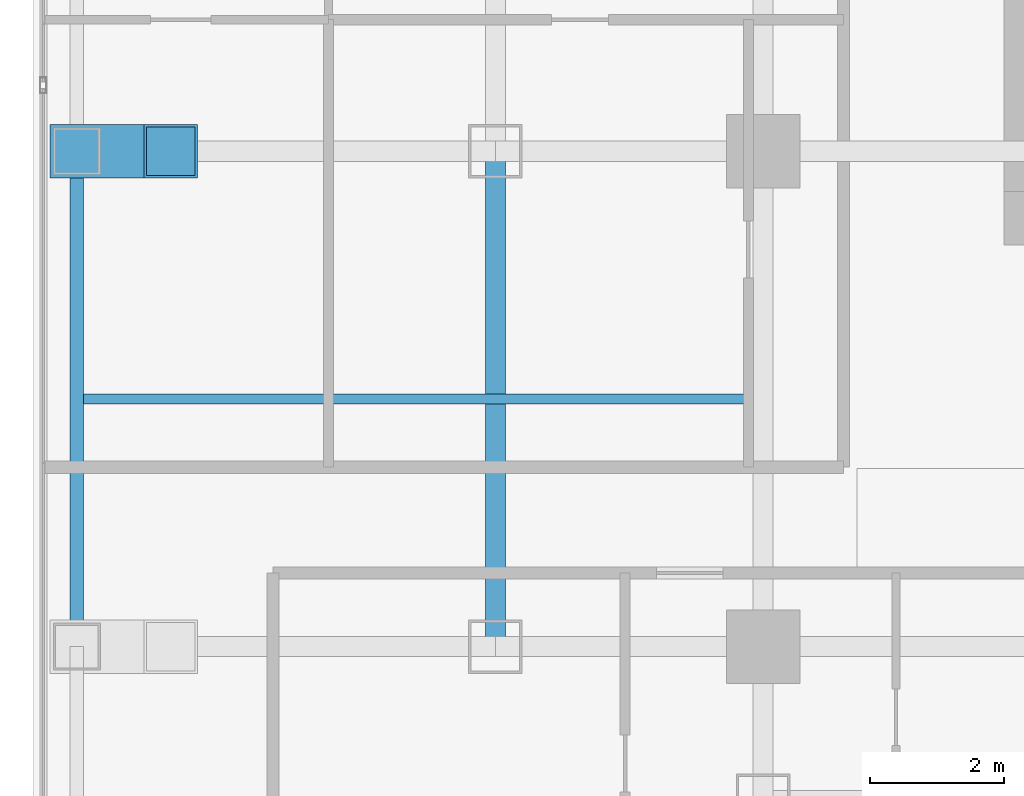
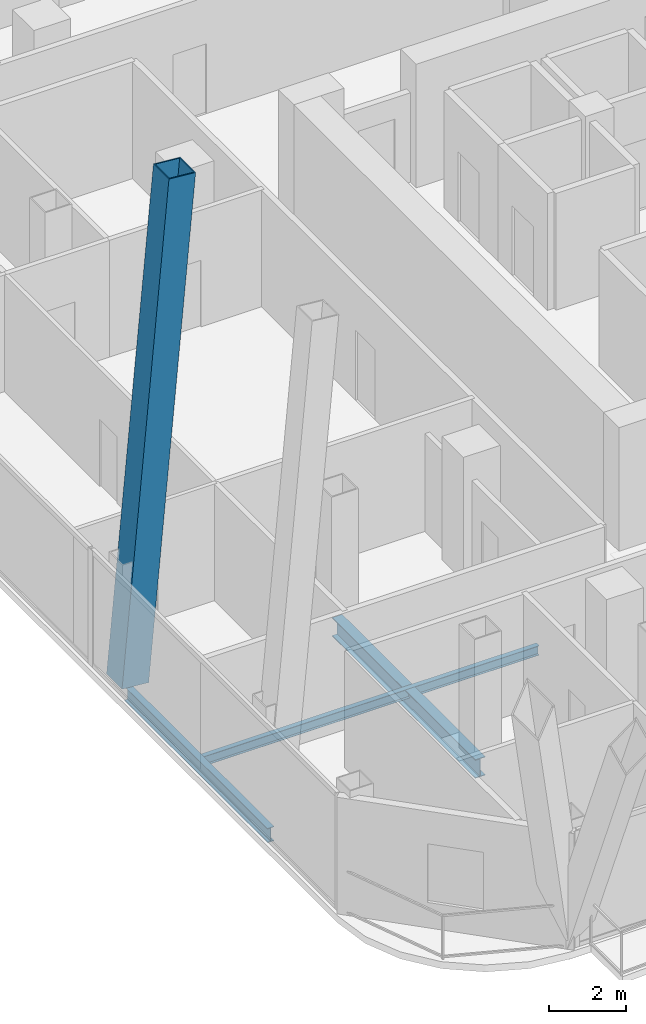
# One storey, part 7 of 34: 3 beams, 1 member.
"""IFC4 building model written with IfcOpenShell, lengths in metres."""

from ifc_helpers import new_model, si_unit, direction, frame, origin, origin_2d, place, context, subcontext, project, spatial, hollow_rectangle, i_section, extrude, material, material_profile, profile_set, type_object, element, save


model = new_model("IFC4")

# Units and contexts
model_context = context("Model", 3, precision=1e-05, world=origin(), true_north=direction((0.0, 1.0)))
body_context = subcontext(model_context, "Body", "Model", "MODEL_VIEW")
ifc_project = project(units=[si_unit("LENGTHUNIT", "METRE"), si_unit("AREAUNIT", "SQUARE_METRE"), si_unit("VOLUMEUNIT", "CUBIC_METRE"), si_unit("PLANEANGLEUNIT", "RADIAN"), si_unit("MASSUNIT", "GRAM", prefix="KILO")], contexts=[model_context])

# Site, building, storey
site_placement = place(None, origin())
site = spatial("IfcSite", under=ifc_project, at=site_placement, CompositionType="ELEMENT")
building_placement = place(site_placement, origin())
building = spatial("IfcBuilding", under=site, at=building_placement, Name="Khorvyn Point Tower", CompositionType="ELEMENT")
storey_placement = place(building_placement, frame((0.0, 0.0, 175.800048828125)))
storey = spatial("IfcBuildingStorey", under=building, at=storey_placement, Name="L43", CompositionType="ELEMENT", Elevation=175.800048828125)

# Beams
ifc_material_1 = material(Name="Steel S355", Category="steel")
ifc_material_profile_1 = material_profile(ifc_material_1, i_section(OverallWidth=0.300048828125, OverallDepth=0.587890625, WebThickness=0.011962890625, FlangeThickness=0.02001953125, at=origin_2d()))
ifc_profile_set_1 = profile_set([ifc_material_profile_1], Name="Steel S355 H588x300x12x20")
beam_type_1 = type_object("IfcBeamType", Name="Steel S355 Beam H588x300x12x20", PredefinedType="BEAM", material=ifc_profile_set_1)
beam_1_placement = place(storey_placement, frame((-18.800048828125, -14.800048828125, -0.51416015625), z_axis=(0.0, 1.0, 0.0), x_axis=(-1.0, 0.0, 0.0)))
element("IfcBeam", 1, at=beam_1_placement, inside=storey, type_object=beam_type_1, Name="Beam", PredefinedType="BEAM", context=body_context, shape_type="SweptSolid", body=[
    extrude(i_section(OverallWidth=0.300048828125, OverallDepth=0.587890625, WebThickness=0.011962890625, FlangeThickness=0.02001953125, at=origin_2d()), origin(), (0.0, 0.0, 1.0), 7.400146484375),
])
ifc_material_profile_2 = material_profile(ifc_material_1, i_section(OverallWidth=0.14990234375, OverallDepth=0.300048828125, WebThickness=0.006591796875, FlangeThickness=0.009033203125, at=origin_2d()))
ifc_profile_set_2 = profile_set([ifc_material_profile_2], Name="Steel S355 H300x150x6.5x9")
beam_type_2 = type_object("IfcBeamType", Name="Steel S355 Joist H300x150x6.5x9", PredefinedType="JOIST", material=ifc_profile_set_2)
beam_2_placement = place(storey_placement, frame((-24.949951171875, -11.10009765625, -0.3701171875), z_axis=(1.0, 0.0, 0.0), x_axis=(0.0, 1.0, 0.0)))
element("IfcBeam", 2, at=beam_2_placement, inside=storey, type_object=beam_type_2, Name="Beam", PredefinedType="JOIST", context=body_context, shape_type="SweptSolid", body=[
    extrude(i_section(OverallWidth=0.14990234375, OverallDepth=0.300048828125, WebThickness=0.006591796875, FlangeThickness=0.009033203125, at=origin_2d()), origin(), (0.0, 0.0, 1.0), 10.0),
])
ifc_material_profile_3 = material_profile(ifc_material_1, i_section(OverallWidth=0.199951171875, OverallDepth=0.449951171875, WebThickness=0.009033203125, FlangeThickness=0.013916015625, at=origin_2d()))
ifc_profile_set_3 = profile_set([ifc_material_profile_3], Name="Steel S355 H450x200x9x14")
beam_type_3 = type_object("IfcBeamType", Name="Steel S355 Spandrel H450x200x9x14", PredefinedType="SPANDREL", material=ifc_profile_set_3)
beam_3_placement = place(storey_placement, frame((-25.050048828125, -14.800048828125, -0.445068359375), z_axis=(0.0, 1.0, 0.0), x_axis=(-1.0, 0.0, 0.0)))
element("IfcBeam", 3, at=beam_3_placement, inside=storey, type_object=beam_type_3, Name="Beam", PredefinedType="SPANDREL", context=body_context, shape_type="SweptSolid", body=[
    extrude(i_section(OverallWidth=0.199951171875, OverallDepth=0.449951171875, WebThickness=0.009033203125, FlangeThickness=0.013916015625, at=origin_2d()), origin(), (0.0, 0.0, 1.0), 7.400146484375),
])

# Member
ifc_material_2 = material(Name="Steel S450", Category="steel")
ifc_material_profile_4 = material_profile(ifc_material_2, hollow_rectangle(XDim=0.800048828125, YDim=0.800048828125, WallThickness=0.035888671875, at=origin_2d()))
ifc_profile_set_4 = profile_set([ifc_material_profile_4], Name="Steel S450 BOX800x800x36")
member_type = type_object("IfcMemberType", Name="Steel S450 Exoskeleton Structural Post BOX800x800x36", PredefinedType="POST", material=ifc_profile_set_4)
member_placement = place(storey_placement, frame((-25.050048828125, -7.39990234375, 0.0), z_axis=(0.089394475098, 0.0, 0.995996299101), x_axis=(0.0, 1.0, 0.0)))
element("IfcMember", 4, at=member_placement, inside=storey, type_object=member_type, Name="L43 to L47 Exoskeleton Transfer Post 11", PredefinedType="POST", context=body_context, shape_type="SweptSolid", body=[
    extrude(hollow_rectangle(XDim=0.800048828125, YDim=0.800048828125, WallThickness=0.035888671875, at=origin_2d()), origin(), (0.0, 0.0, 1.0), 15.66259765625),
])

save(model, "model.ifc")
